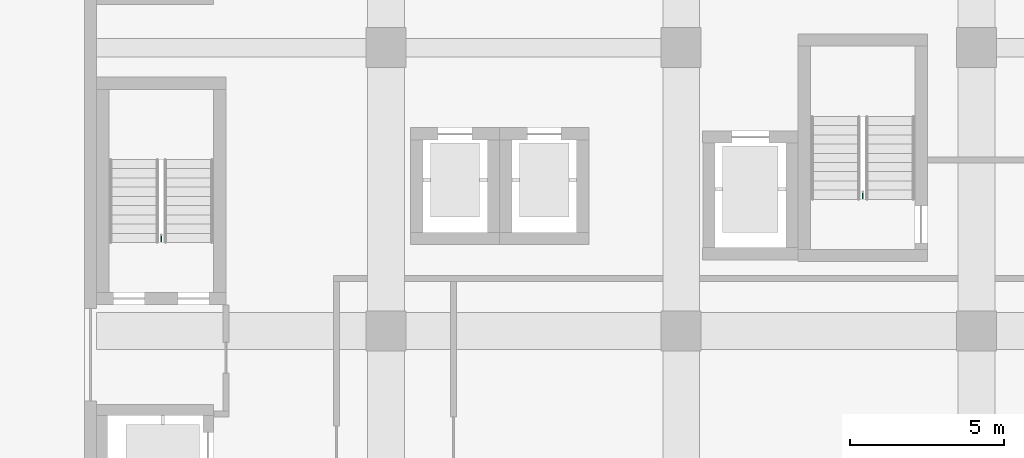
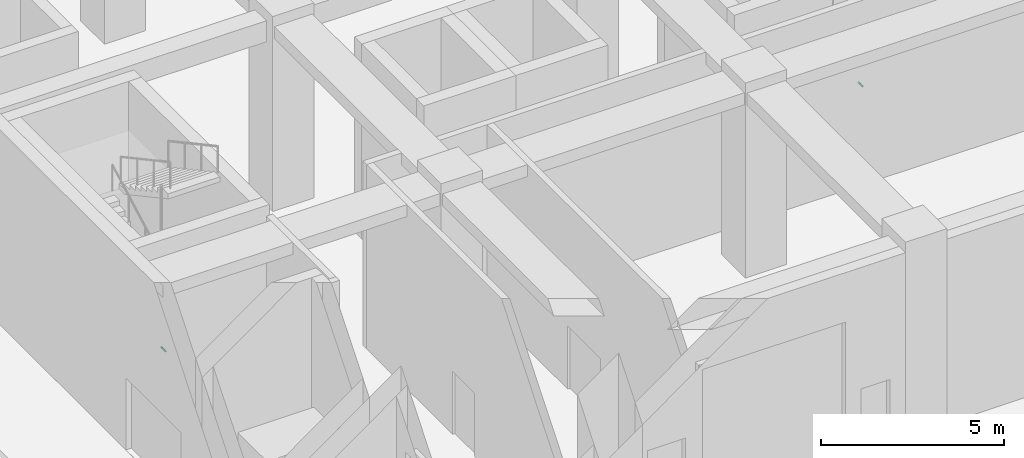
# One storey, part 39 of 45: 2 pipe fittings.
"""IFC4 building model written with IfcOpenShell, lengths in metres."""

import ifcopenshell
import ifcopenshell.guid

model = None  # the IFC model being written
_history = None  # IfcOwnerHistory: only IFC2X3 demands one
_inside = {}  # id of a spatial element -> (the spatial element, [elements in it])
_under = {}  # id of a project, library or spatial element -> (it, [spatial elements below it])
_declared = {}  # id of a project -> (the project, [libraries it declares])
_typed = {}  # id of a type object -> (the type object, [elements of that type])
_made_of = {}  # id of a material, layer set ... -> (it, [elements and type objects made of it])


def new_model(schema):
    """Start an empty IFC model of exactly this schema.

    Asked for "IFC4X3", IfcOpenShell would pick the latest addendum, in which some entities
    have other attributes; the version numbers below select the first issue.
    IFC2X3 requires an IfcOwnerHistory on every rooted entity: one is made here for all.
    """
    global model, _history
    if schema == "IFC4X3":
        model = ifcopenshell.file(schema_version=(4, 3, 0, 0))
    else:
        model = ifcopenshell.file(schema=schema)
    _inside.clear()
    _under.clear()
    _declared.clear()
    _typed.clear()
    _made_of.clear()
    _history = None
    if model.schema == "IFC2X3":
        org = make("IfcOrganization", Name="unknown")
        user = make(
            "IfcPersonAndOrganization",
            ThePerson=make("IfcPerson", FamilyName="unknown"),
            TheOrganization=org,
        )
        app = make(
            "IfcApplication",
            ApplicationDeveloper=org,
            Version="unknown",
            ApplicationFullName="unknown",
            ApplicationIdentifier="unknown",
        )
        _history = make(
            "IfcOwnerHistory",
            OwningUser=user,
            OwningApplication=app,
            ChangeAction="ADDED",
            CreationDate=0,
        )
    return model


def make(cls, **values):
    """One entity of the class cls with the attributes given. An attribute that is None is left unset."""
    return model.create_entity(
        cls, **{name: value for name, value in values.items() if value is not None}
    )


def rooted(cls, **values):
    """An entity with a GlobalId (a new one), such as an element, a storey or a relation."""
    return make(cls, GlobalId=ifcopenshell.guid.new(), OwnerHistory=_history, **values)


def si_unit(unit_type, name, prefix=None):
    """IfcSIUnit, for example si_unit("LENGTHUNIT", "METRE", prefix="MILLI")."""
    return make("IfcSIUnit", UnitType=unit_type, Prefix=prefix, Name=name)


def assignment(units):
    """IfcUnitAssignment: the units of a project."""
    return None if units is None else make("IfcUnitAssignment", Units=units)


def point(xyz):
    """IfcCartesianPoint."""
    return None if xyz is None else make("IfcCartesianPoint", Coordinates=xyz)


def direction(xyz):
    """IfcDirection."""
    return None if xyz is None else make("IfcDirection", DirectionRatios=xyz)


def frame(location, z_axis=None, x_axis=None):
    """IfcAxis2Placement3D, a coordinate frame: its origin and axes. An axis left out is left unset."""
    return make(
        "IfcAxis2Placement3D",
        Location=point(location),
        Axis=direction(z_axis),
        RefDirection=direction(x_axis),
    )


def frame_2d(location, x_axis=None):
    """IfcAxis2Placement2D, a coordinate frame in the plane: its origin and x axis."""
    return make(
        "IfcAxis2Placement2D", Location=point(location), RefDirection=direction(x_axis)
    )


def origin():
    """The frame at (0, 0, 0) with its axes left unset."""
    return frame((0.0, 0.0, 0.0))


def origin_2d():
    """The frame at (0, 0) in the plane with its x axis left unset."""
    return frame_2d((0.0, 0.0))


def place(relative_to, where):
    """IfcLocalPlacement: puts the frame where relative to a parent placement (None: the world)."""
    return make(
        "IfcLocalPlacement", PlacementRelTo=relative_to, RelativePlacement=where
    )


def context(
    kind, dimensions, precision=None, world=None, true_north=None, identifier=None
):
    """IfcGeometricRepresentationContext, for example the 3D "Model" context."""
    return make(
        "IfcGeometricRepresentationContext",
        ContextIdentifier=identifier,
        ContextType=kind,
        CoordinateSpaceDimension=dimensions,
        Precision=precision,
        WorldCoordinateSystem=world,
        TrueNorth=true_north,
    )


def subcontext(parent, identifier, kind, view, scale=None):
    """IfcGeometricRepresentationSubContext, for example "Body" below "Model"."""
    return make(
        "IfcGeometricRepresentationSubContext",
        ContextIdentifier=identifier,
        ContextType=kind,
        ParentContext=parent,
        TargetScale=scale,
        TargetView=view,
    )


def project(units=None, contexts=None):
    """IfcProject with its units and contexts."""
    return rooted(
        "IfcProject",
        Name="project",
        RepresentationContexts=contexts,
        UnitsInContext=assignment(units),
    )


def spatial(cls, under=None, at=None, **own):
    """A site, building, storey or space (cls), placed at a placement, below another one or the project."""
    s = rooted(cls, ObjectPlacement=at, **own)
    if under is not None:
        _under.setdefault(under.id(), (under, []))[1].append(s)
    return s


def profile(cls, at=None, kind="AREA", **sizes):
    """A parametric profile (cls). Its sizes go by their IFC names, for example OverallWidth=200.0."""
    return make(cls, ProfileType=kind, Position=at, **sizes)


def circle(**sizes):
    """IfcCircleProfileDef."""
    return profile("IfcCircleProfileDef", **sizes)


def extrude(swept, where, along, depth):
    """IfcExtrudedAreaSolid: the profile swept, set in the frame where, extruded along a direction by depth."""
    return make(
        "IfcExtrudedAreaSolid",
        SweptArea=swept,
        Position=where,
        ExtrudedDirection=direction(along),
        Depth=depth,
    )


def shape(context_of_items, identifier, shape_type, items):
    """IfcShapeRepresentation: the items that make up one representation, for example the "Body"."""
    return make(
        "IfcShapeRepresentation",
        ContextOfItems=context_of_items,
        RepresentationIdentifier=identifier,
        RepresentationType=shape_type,
        Items=items,
    )


def made_of(thing, what):
    """Note that an element or type object is made of a material, layer set ...; save() writes the relation."""
    if what is not None:
        _made_of.setdefault(what.id(), (what, []))[1].append(thing)
    return thing


def element(
    cls,
    number,
    at=None,
    inside=None,
    cuts=None,
    type_object=None,
    material=None,
    context=None,
    identifier="Body",
    shape_type=None,
    held_by="IfcProductDefinitionShape",
    body=None,
    shapes=None,
    **own,
):
    """One element of the class cls, such as IfcWall. Its Tag is "e" and its number.

    at: its placement. inside: the storey or other place that contains it. cuts: it is an
    opening in that element (IfcRelVoidsElement). A single representation is given by context,
    identifier, shape_type and body (its items); several are given by shapes. held_by: the class
    of the entity that holds the representations. save() writes the other relations.
    """
    e = rooted(cls, Tag="e%d" % number, ObjectPlacement=at, **own)
    if body is not None:
        shapes = [shape(context, identifier, shape_type, body)]
    if shapes is not None:
        e.Representation = make(held_by, Representations=shapes)
    if inside is not None:
        _inside.setdefault(inside.id(), (inside, []))[1].append(e)
    if cuts is not None:
        rooted(
            "IfcRelVoidsElement", RelatingBuildingElement=cuts, RelatedOpeningElement=e
        )
    if type_object is not None:
        _typed.setdefault(type_object.id(), (type_object, []))[1].append(e)
    return made_of(e, material)


def aggregate(whole, parts):
    """IfcRelAggregates: a whole, such as a stair, and the parts it consists of."""
    return rooted("IfcRelAggregates", RelatingObject=whole, RelatedObjects=parts)


def save(model, path):
    """Write the relations noted so far, then the file.

    IfcRelAggregates (storeys below a building ...), IfcRelContainedInSpatialStructure (elements
    in a storey), IfcRelDefinesByType, IfcRelAssociatesMaterial and IfcRelDeclares: one each for
    every whole, place, type object, material and project.
    """
    for whole, parts in _under.values():
        aggregate(whole, parts)
    for where, things in _inside.values():
        rooted(
            "IfcRelContainedInSpatialStructure",
            RelatedElements=things,
            RelatingStructure=where,
        )
    for kind, things in _typed.values():
        rooted("IfcRelDefinesByType", RelatedObjects=things, RelatingType=kind)
    for what, things in _made_of.values():
        rooted("IfcRelAssociatesMaterial", RelatedObjects=things, RelatingMaterial=what)
    for by, libraries in _declared.values():
        rooted("IfcRelDeclares", RelatingContext=by, RelatedDefinitions=libraries)
    model.write(path)


model = new_model("IFC4")

# Units and contexts
model_context = context("Model", 3, precision=1e-05, world=origin(), true_north=direction((0.0, 1.0)))
body_context = subcontext(model_context, "Body", "Model", "MODEL_VIEW")
ifc_project = project(units=[si_unit("LENGTHUNIT", "METRE"), si_unit("AREAUNIT", "SQUARE_METRE"), si_unit("VOLUMEUNIT", "CUBIC_METRE"), si_unit("PLANEANGLEUNIT", "RADIAN"), si_unit("MASSUNIT", "GRAM", prefix="KILO")], contexts=[model_context])

# Site, building, storey
site_placement = place(None, origin())
site = spatial("IfcSite", under=ifc_project, at=site_placement, CompositionType="ELEMENT")
building_placement = place(site_placement, origin())
building = spatial("IfcBuilding", under=site, at=building_placement, Name="Nzadi Deep Aquarium and Research Tower", CompositionType="ELEMENT")
storey_placement = place(building_placement, origin())
storey = spatial("IfcBuildingStorey", under=building, at=storey_placement, Name="G", CompositionType="ELEMENT", Elevation=0.0)

# Pipe fittings
for number, where, z_axis, x_axis, name in (
    (1, (2.300048828125, 12.320068359375, 1.10009765625), (0.0, -1.0, 0.0), (1.0, 0.0, 0.0), "Dry riser outlet ST-Z1-SW G"),
    (2, (25.10009765625, 13.719970703125, 1.10009765625), (0.0, -1.0, 0.0), (1.0, 0.0, 0.0), "Dry riser outlet ST-Z1-SE G"),
):
    element("IfcPipeFitting", number, at=place(storey_placement, frame(where, z_axis=z_axis, x_axis=x_axis)), inside=storey, Name=name, PredefinedType="EXIT", context=body_context, shape_type="SweptSolid", body=[
        extrude(circle(Radius=0.0224609375, at=origin_2d()), origin(), (0.0, 0.0, 1.0), 0.22998046875),
    ])

save(model, "model.ifc")
